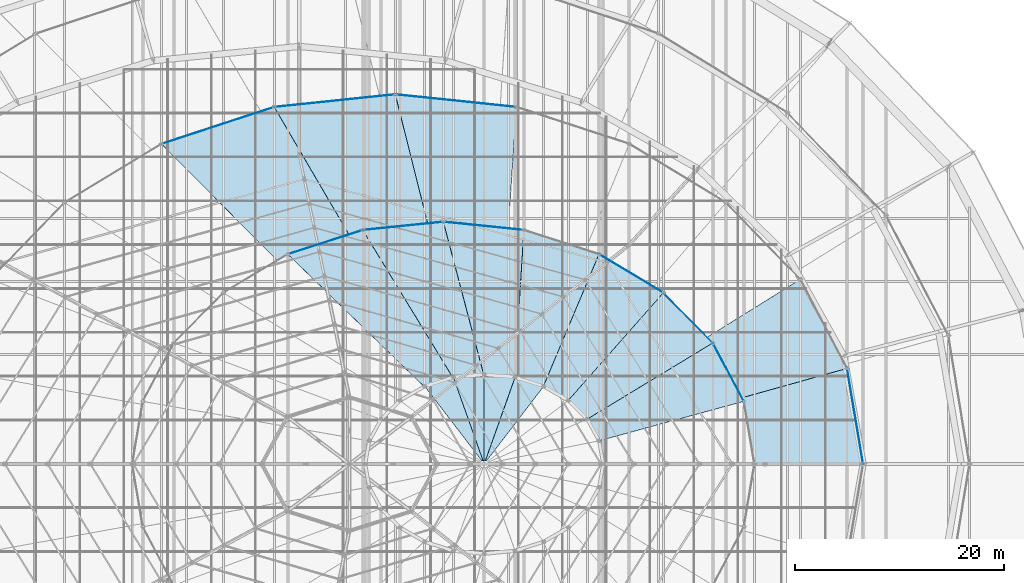
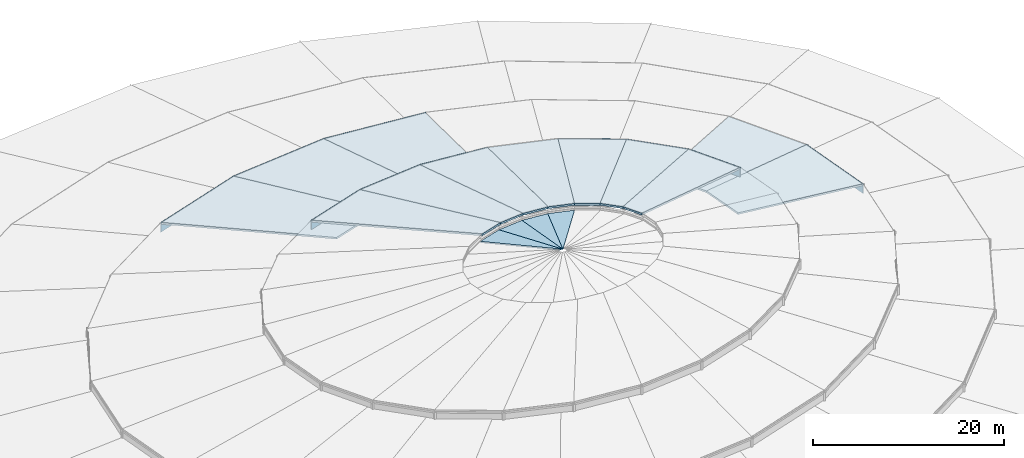
# One storey, part 151 of 184: 16 slabs, 10 plates.
"""IFC4 building model written with IfcOpenShell, lengths in metres."""

from ifc_helpers import new_model, si_unit, direction, frame, origin, origin_2d, place, context, subcontext, project, spatial, polyline, rectangle, outline, extrude, material, layer, layer_set, type_object, element, save


model = new_model("IFC4")

# Units and contexts
model_context = context("Model", 3, precision=1e-05, world=origin(), true_north=direction((0.0, 1.0)))
body_context = subcontext(model_context, "Body", "Model", "MODEL_VIEW")
ifc_project = project(units=[si_unit("LENGTHUNIT", "METRE"), si_unit("AREAUNIT", "SQUARE_METRE"), si_unit("VOLUMEUNIT", "CUBIC_METRE"), si_unit("PLANEANGLEUNIT", "RADIAN"), si_unit("MASSUNIT", "GRAM", prefix="KILO")], contexts=[model_context])

# Site, building, storey
site_placement = place(None, origin())
site = spatial("IfcSite", under=ifc_project, at=site_placement, CompositionType="ELEMENT")
building_placement = place(site_placement, origin())
building = spatial("IfcBuilding", under=site, at=building_placement, Name="Kalgoora Escarpment Arena", CompositionType="ELEMENT")
storey_placement = place(building_placement, frame((0.0, 0.0, 27.60009765625)))
storey = spatial("IfcBuildingStorey", under=building, at=storey_placement, Name="Roof Level", CompositionType="ELEMENT", Elevation=27.60009765625)

# Plates
ifc_material_1 = material(Name="Low-E double-glazed petal clerestory glass", Category="glass")
ifc_layer_1 = layer(ifc_material_1, 0.035888671875)
ifc_layer_set_1 = layer_set([ifc_layer_1], Name="PLT-PETAL-CLERESTORY")
plate_type = type_object("IfcPlateType", Name="PLT-PETAL-CLERESTORY", PredefinedType="USERDEFINED", material=ifc_layer_set_1)
plate_1_placement = place(storey_placement, frame((145.63671875, 68.5810546875, 2.7099609375), z_axis=(0.0, 0.0, 1.0), x_axis=(-0.164359008451, 0.986400586142, 0.0)))
element("IfcPlate", 1, at=plate_1_placement, inside=storey, type_object=plate_type, Name="Petal RP3 glazed clerestory collar panel S01", ObjectType="CLERESTORY PANEL", PredefinedType="USERDEFINED", context=body_context, shape_type="SweptSolid", body=[
    extrude(rectangle(XDim=9.427734375, YDim=0.0400390625, at=origin_2d()), origin(), (0.0, 0.0, 1.0), 1.25),
])
for number, where, z_axis, x_axis, name in (
    (2, (107.3974609375, 98.796875, 2.7099609375), (0.0, 0.0, 1.0), (-0.994630811991, 0.10348694525, 0.0), "Petal RP3 glazed clerestory collar panel S06"),
    (3, (95.802490234375, 98.796875, 2.7099609375), (0.0, 0.0, 1.0), (-0.994630811991, -0.10348694525, 0.0), "Petal RP3 glazed clerestory collar panel S07"),
):
    element("IfcPlate", number, at=place(storey_placement, frame(where, z_axis=z_axis, x_axis=x_axis)), inside=storey, type_object=plate_type, Name=name, ObjectType="CLERESTORY PANEL", PredefinedType="USERDEFINED", context=body_context, shape_type="SweptSolid", body=[
        extrude(rectangle(XDim=11.83251953125, YDim=0.0400390625, at=origin_2d()), origin(), (0.0, 0.0, 1.0), 1.25),
    ])
plate_2_placement = place(storey_placement, frame((84.6025390625, 96.425537109375, 2.7099609375), z_axis=(0.0, 0.0, 1.0), x_axis=(-0.950407227189, -0.311008203279, 0.0)))
element("IfcPlate", 4, at=plate_2_placement, inside=storey, type_object=plate_type, Name="Petal RP3 glazed clerestory collar panel S08", ObjectType="CLERESTORY PANEL", PredefinedType="USERDEFINED", context=body_context, shape_type="SweptSolid", body=[
    extrude(rectangle(XDim=11.53955078125, YDim=0.0400390625, at=origin_2d()), origin(), (0.0, 0.0, 1.0), 1.25),
])
plate_3_placement = place(storey_placement, frame((133.49609375, 72.80224609375, 5.159912109375), z_axis=(0.0, 0.0, 1.0), x_axis=(-0.469625659061, 0.882865641166, 0.0)))
element("IfcPlate", 5, at=plate_3_placement, inside=storey, type_object=plate_type, Name="Petal RP4 glazed clerestory collar panel S02", ObjectType="CLERESTORY PANEL", PredefinedType="USERDEFINED", context=body_context, shape_type="SweptSolid", body=[
    extrude(rectangle(XDim=6.43310546875, YDim=0.0400390625, at=origin_2d()), origin(), (0.0, 0.0, 1.0), 1.25),
])
plate_4_placement = place(storey_placement, frame((129.6396484375, 78.00244140625, 5.159912109375), z_axis=(0.0, 0.0, 1.0), x_axis=(-0.702028770313, 0.712148583972, 0.0)))
element("IfcPlate", 6, at=plate_4_placement, inside=storey, type_object=plate_type, Name="Petal RP4 glazed clerestory collar panel S03", ObjectType="CLERESTORY PANEL", PredefinedType="USERDEFINED", context=body_context, shape_type="SweptSolid", body=[
    extrude(rectangle(XDim=6.84765625, YDim=0.0400390625, at=origin_2d()), origin(), (0.0, 0.0, 1.0), 1.25),
])
plate_5_placement = place(storey_placement, frame((124.185791015625, 82.248291015625, 5.159912109375), z_axis=(0.0, 0.0, 1.0), x_axis=(-0.858512728225, 0.512792253721, 0.0)))
element("IfcPlate", 7, at=plate_5_placement, inside=storey, type_object=plate_type, Name="Petal RP4 glazed clerestory collar panel S04", ObjectType="CLERESTORY PANEL", PredefinedType="USERDEFINED", context=body_context, shape_type="SweptSolid", body=[
    extrude(rectangle(XDim=7.297119140625, YDim=0.0400390625, at=origin_2d()), origin(), (0.0, 0.0, 1.0), 1.25),
])
for number, where, z_axis, x_axis, name in (
    (8, (110.056396484375, 86.8046875, 5.159912109375), (0.0, 0.0, 1.0), (-0.994792141762, 0.101924455795, 0.0), "Petal RP4 glazed clerestory collar panel S06"),
    (9, (102.343505859375, 86.8046875, 5.159912109375), (0.0, 0.0, 1.0), (-0.994792141762, -0.101924455795, 0.0), "Petal RP4 glazed clerestory collar panel S07"),
):
    element("IfcPlate", number, at=place(storey_placement, frame(where, z_axis=z_axis, x_axis=x_axis)), inside=storey, type_object=plate_type, Name=name, ObjectType="CLERESTORY PANEL", PredefinedType="USERDEFINED", context=body_context, shape_type="SweptSolid", body=[
        extrude(rectangle(XDim=7.869384765625, YDim=0.0400390625, at=origin_2d()), origin(), (0.0, 0.0, 1.0), 1.25),
    ])
plate_6_placement = place(storey_placement, frame((94.8935546875, 85.250732421875, 5.159912109375), z_axis=(0.0, 0.0, 1.0), x_axis=(-0.951755204978, -0.306858322026, 0.0)))
element("IfcPlate", 10, at=plate_6_placement, inside=storey, type_object=plate_type, Name="Petal RP4 glazed clerestory collar panel S08", ObjectType="CLERESTORY PANEL", PredefinedType="USERDEFINED", context=body_context, shape_type="SweptSolid", body=[
    extrude(rectangle(XDim=7.664794921875, YDim=0.0400390625, at=origin_2d()), origin(), (0.0, 0.0, 1.0), 1.25),
])

# Slabs
ifc_material_2 = material(Name="White acoustic composite Concrete N40 (fc' 40 MPa)", Category="concrete")
ifc_layer_2 = layer(ifc_material_2, 0.179931640625)
ifc_layer_set_2 = layer_set([ifc_layer_2], Name="SLB-CROWN-180")
slab_type_1 = type_object("IfcSlabType", Name="SLB-CROWN-180", PredefinedType="ROOF", material=ifc_layer_set_2)
slab_1_placement = place(storey_placement, frame((115.81005859375, 71.44775390625, 6.75), z_axis=(0.050414213677, 0.161379849618, 0.985603851046), x_axis=(-0.954489584971, 0.298244249, -1.0927478e-05)))
element("IfcSlab", 11, at=slab_1_placement, inside=storey, type_object=slab_type_1, Name="Art Deco pitched crown dome sector 05", PredefinedType="ROOF", context=body_context, shape_type="SweptSolid", body=[
    extrude(outline(polyline([(0.0, 0.0), (2.8806111372509124, 1.1102230246251565e-16), (3.2089700062980753, 8.574746347781835), (3.095019674630396, 8.575996813281083), (0.0, 0.0)])), origin(), (0.0, 0.0, -1.0), 0.179931640625),
])
slab_2_placement = place(storey_placement, frame((113.060546875, 72.306884765625, 6.75), z_axis=(0.017221113335, 0.173065300574, 0.984759785426), x_axis=(-0.995097770522, 0.098896039547, 2.1547058e-05)))
element("IfcSlab", 12, at=slab_2_placement, inside=storey, type_object=slab_type_1, Name="Art Deco pitched crown dome sector 06", PredefinedType="ROOF", context=body_context, shape_type="SweptSolid", body=[
    extrude(outline(polyline([(0.0, 0.0), (2.9649733154914615, 0.0), (2.1491122314106765, 8.336619763914834), (2.03204496029819, 8.33700159986693), (0.0, 0.0)])), origin(), (0.0, 0.0, -1.0), 0.179931640625),
])
slab_3_placement = place(storey_placement, frame((110.110107421875, 72.60009765625, 6.75), z_axis=(-0.017218418231, 0.173065765325, 0.984759750876), x_axis=(-0.995098598315, -0.098887710166, -2.0255302e-05)))
element("IfcSlab", 13, at=slab_3_placement, inside=storey, type_object=slab_type_1, Name="Art Deco pitched crown dome sector 07", PredefinedType="ROOF", context=body_context, shape_type="SweptSolid", body=[
    extrude(outline(polyline([(0.0, 0.0), (2.9652162595558185, 0.0), (0.9331044515384427, 8.336985306276024), (0.8157942396750263, 8.336626305383662), (0.0, 0.0)])), origin(), (0.0, 0.0, -1.0), 0.179931640625),
])
slab_4_placement = place(storey_placement, frame((107.159423828125, 72.306884765625, 6.75), z_axis=(-0.050422472453, 0.161406241235, 0.98559910692), x_axis=(-0.954489584472, -0.298244250599, 1.0915878e-05)))
element("IfcSlab", 14, at=slab_4_placement, inside=storey, type_object=slab_type_1, Name="Art Deco pitched crown dome sector 08", PredefinedType="ROOF", context=body_context, shape_type="SweptSolid", body=[
    extrude(outline(polyline([(0.0, 0.0), (2.8806111372512864, 0.0), (-0.21440853737945686, 8.576038093722683), (-0.32835886904637307, 8.574787627292384), (0.0, 0.0)])), origin(), (0.0, 0.0, -1.0), 0.179931640625),
])
ifc_material_3 = material(Name="White acoustic composite Concrete N40 (fc' 40 MPa)", Category="concrete")
ifc_layer_3 = layer(ifc_material_3, 0.215087890625)
ifc_layer_set_3 = layer_set([ifc_layer_3], Name="SLB-PETAL-RP3")
slab_type_2 = type_object("IfcSlabType", Name="SLB-PETAL-RP3", PredefinedType="ROOF", material=ifc_layer_set_3)
slab_5_placement = place(storey_placement, frame((146.39990234375, 64.0, 3.89990234375), z_axis=(0.105430160724, 0.017564960975, 0.994271569218), x_axis=(-0.164330868204, 0.986405274598, -7.44573e-07)))
element("IfcSlab", 15, at=slab_5_placement, inside=storey, type_object=slab_type_2, Name="Shifted white roof petal RP3 sector 01", PredefinedType="ROOF", context=body_context, shape_type="SweptSolid", body=[
    extrude(outline(polyline([(0.0, 0.0), (9.288382259063802, 2.220446049250313e-16), (7.6790428671995254, 14.995686341706852), (2.4797259331115304, 14.970459452052786), (0.0, 0.0)])), origin(), (0.0, 0.0, -1.0), 0.215087890625),
])
slab_6_placement = place(storey_placement, frame((144.87353515625, 73.162109375, 3.89990234375), z_axis=(0.096054628767, 0.050358387534, 0.994101373652), x_axis=(-0.464282872521, 0.885686973064, -5.280005e-06)))
element("IfcSlab", 16, at=slab_6_placement, inside=storey, type_object=slab_type_2, Name="Shifted white roof petal RP3 sector 02", PredefinedType="ROOF", context=body_context, shape_type="SweptSolid", body=[
    extrude(outline(polyline([(0.0, 0.0), (9.639793152853024, 4.440892098500626e-16), (8.555548693662882, 14.8192783268654), (3.1294082334037636, 14.753263529013104), (0.0, 0.0)])), origin(), (0.0, 0.0, -1.0), 0.215087890625),
])
slab_7_placement = place(storey_placement, frame((113.195068359375, 98.19384765625, 3.89990234375), z_axis=(0.010900113257, 0.104861456359, 0.994427102658), x_axis=(-0.994633986069, 0.103456433865, -7.008284e-06)))
element("IfcSlab", 17, at=slab_7_placement, inside=storey, type_object=slab_type_2, Name="Shifted white roof petal RP3 sector 06", PredefinedType="ROOF", context=body_context, shape_type="SweptSolid", body=[
    extrude(outline(polyline([(0.0, 0.0), (11.657526045813409, 0.0), (6.1546781381205, 15.1963177781905), (-0.5567934634665065, 15.176570740840884), (0.0, 0.0)])), origin(), (0.0, 0.0, -1.0), 0.215087890625),
])
slab_8_placement = place(storey_placement, frame((101.60009765625, 99.39990234375, 3.89990234375), z_axis=(-0.010356559952, 0.099452470644, 0.994988415887), x_axis=(-0.994634007815, -0.103456224329, -1.2070109e-05)))
element("IfcSlab", 18, at=slab_8_placement, inside=storey, type_object=slab_type_2, Name="Shifted white roof petal RP3 sector 07", PredefinedType="ROOF", context=body_context, shape_type="SweptSolid", body=[
    extrude(outline(polyline([(0.0, 0.0), (11.657768875816748, -2.220446049250313e-16), (4.436422725523763, 15.981095937555038), (-2.275048920086886, 16.000853330767825), (0.0, 0.0)])), origin(), (0.0, 0.0, -1.0), 0.215087890625),
])
slab_9_placement = place(storey_placement, frame((90.0048828125, 98.19384765625, 3.89990234375), z_axis=(-0.029042602584, 0.08870388324, 0.99563454557), x_axis=(-0.950384891597, -0.311076450025, -7.996515e-06)))
element("IfcSlab", 19, at=slab_9_placement, inside=storey, type_object=slab_type_2, Name="Shifted white roof petal RP3 sector 08", PredefinedType="ROOF", context=body_context, shape_type="SweptSolid", body=[
    extrude(outline(polyline([(0.0, 0.0), (11.369003320915997, -8.881784197001252e-16), (2.8268265523978333, 17.085872040164965), (-3.702177672738744, 17.141883645912525), (0.0, 0.0)])), origin(), (0.0, 0.0, -1.0), 0.215087890625),
])
ifc_material_4 = material(Name="White acoustic composite Concrete N40 (fc' 40 MPa)", Category="concrete")
ifc_layer_4 = layer(ifc_material_4, 0.22509765625)
ifc_layer_set_4 = layer_set([ifc_layer_4], Name="SLB-PETAL-RP4")
slab_type_3 = type_object("IfcSlabType", Name="SLB-PETAL-RP4", PredefinedType="ROOF", material=ifc_layer_set_4)
slab_10_placement = place(storey_placement, frame((134.984619140625, 70.004638671875, 6.349853515625), z_axis=(0.086566088344, 0.046077033163, 0.99517999345), x_axis=(-0.469705830667, 0.882822990376, -1.7351405e-05)))
element("IfcSlab", 20, at=slab_10_placement, inside=storey, type_object=slab_type_3, Name="Shifted white roof petal RP4 sector 02", PredefinedType="ROOF", context=body_context, shape_type="SweptSolid", body=[
    extrude(outline(polyline([(0.0, 0.0), (6.338137943256842, 0.0), (5.534564945960605, 14.313545610422818), (3.220520328488234, 14.27716066599691), (0.0, 0.0)])), origin(), (0.0, 0.0, -1.0), 0.22509765625),
])
slab_11_placement = place(storey_placement, frame((132.007568359375, 75.60009765625, 6.349853515625), z_axis=(0.071464558545, 0.070447418872, 0.994952249129), x_axis=(-0.701986133722, 0.712190612153, -4.885882e-06)))
element("IfcSlab", 21, at=slab_11_placement, inside=storey, type_object=slab_type_3, Name="Shifted white roof petal RP4 sector 03", PredefinedType="ROOF", context=body_context, shape_type="SweptSolid", body=[
    extrude(outline(polyline([(0.0, 0.0), (6.746347233667175, 0.0), (5.781090489249381, 13.999206945221614), (3.2925037923904905, 13.952532146369649), (0.0, 0.0)])), origin(), (0.0, 0.0, -1.0), 0.22509765625),
])
slab_12_placement = place(storey_placement, frame((127.271728515625, 80.40478515625, 6.349853515625), z_axis=(0.052047538158, 0.087132052775, 0.994836197145), x_axis=(-0.85847149263, 0.512861283695, -5.356326e-06)))
element("IfcSlab", 22, at=slab_12_placement, inside=storey, type_object=slab_type_3, Name="Shifted white roof petal RP4 sector 04", PredefinedType="ROOF", context=body_context, shape_type="SweptSolid", body=[
    extrude(outline(polyline([(0.0, 0.0), (7.189094718884388, -4.440892098500626e-16), (5.24295171758143, 13.838998535387049), (2.5670085890887164, 13.79517928203242), (0.0, 0.0)])), origin(), (0.0, 0.0, -1.0), 0.22509765625),
])
slab_13_placement = place(storey_placement, frame((121.10009765625, 84.091796875, 6.349853515625), z_axis=(0.030847508684, 0.095705913804, 0.994931560094), x_axis=(-0.951741631277, 0.306900418889, -1.3394692e-05)))
element("IfcSlab", 23, at=slab_13_placement, inside=storey, type_object=slab_type_3, Name="Shifted white roof petal RP4 sector 05", PredefinedType="ROOF", context=body_context, shape_type="SweptSolid", body=[
    extrude(outline(polyline([(0.0, 0.0), (7.551691298751253, 0.0), (4.024754837148023, 13.953937976494387), (1.1964135316214093, 13.923419925062062), (0.0, 0.0)])), origin(), (0.0, 0.0, -1.0), 0.22509765625),
])
slab_14_placement = place(storey_placement, frame((113.912841796875, 86.409423828125, 6.349853515625), z_axis=(0.009917588673, 0.096845122779, 0.995250050806), x_axis=(-0.994788567532, 0.101959334228, -8.400314e-06)))
element("IfcSlab", 24, at=slab_14_placement, inside=storey, type_object=slab_type_3, Name="Shifted white roof petal RP4 sector 06", PredefinedType="ROOF", context=body_context, shape_type="SweptSolid", body=[
    extrude(outline(polyline([(0.0, 0.0), (7.753297058035814, -1.1102230246251565e-16), (2.3545034283358017, 14.39260019407232), (-0.5582458315339377, 14.381648545535096), (0.0, 0.0)])), origin(), (0.0, 0.0, -1.0), 0.22509765625),
])
slab_15_placement = place(storey_placement, frame((106.199951171875, 87.199951171875, 6.349853515625), z_axis=(-0.009397649842, 0.091720156116, 0.995740476801), x_axis=(-0.994788188597, -0.101963031612, 3.408633e-06)))
element("IfcSlab", 25, at=slab_15_placement, inside=storey, type_object=slab_type_3, Name="Shifted white roof petal RP4 sector 07", PredefinedType="ROOF", context=body_context, shape_type="SweptSolid", body=[
    extrude(outline(polyline([(0.0, 0.0), (7.753054190024348, -1.1102230246251565e-16), (0.5322774585150643, 15.17530298650724), (-2.3807146339703196, 15.186289053712267), (0.0, 0.0)])), origin(), (0.0, 0.0, -1.0), 0.22509765625),
])
slab_16_placement = place(storey_placement, frame((98.4873046875, 86.409423828125, 6.349853515625), z_axis=(-0.026297902625, 0.081530115037, 0.996323873376), x_axis=(-0.951741030088, -0.306902283468, -7.040339e-06)))
element("IfcSlab", 26, at=slab_16_placement, inside=storey, type_object=slab_type_3, Name="Shifted white roof petal RP4 sector 08", PredefinedType="ROOF", context=body_context, shape_type="SweptSolid", body=[
    extrude(outline(polyline([(0.0, 0.0), (7.5516912992470875, 0.0), (-1.0871712434975036, 16.312727017298634), (-3.9155125478467414, 16.343222831851158), (0.0, 0.0)])), origin(), (0.0, 0.0, -1.0), 0.22509765625),
])

save(model, "model.ifc")
